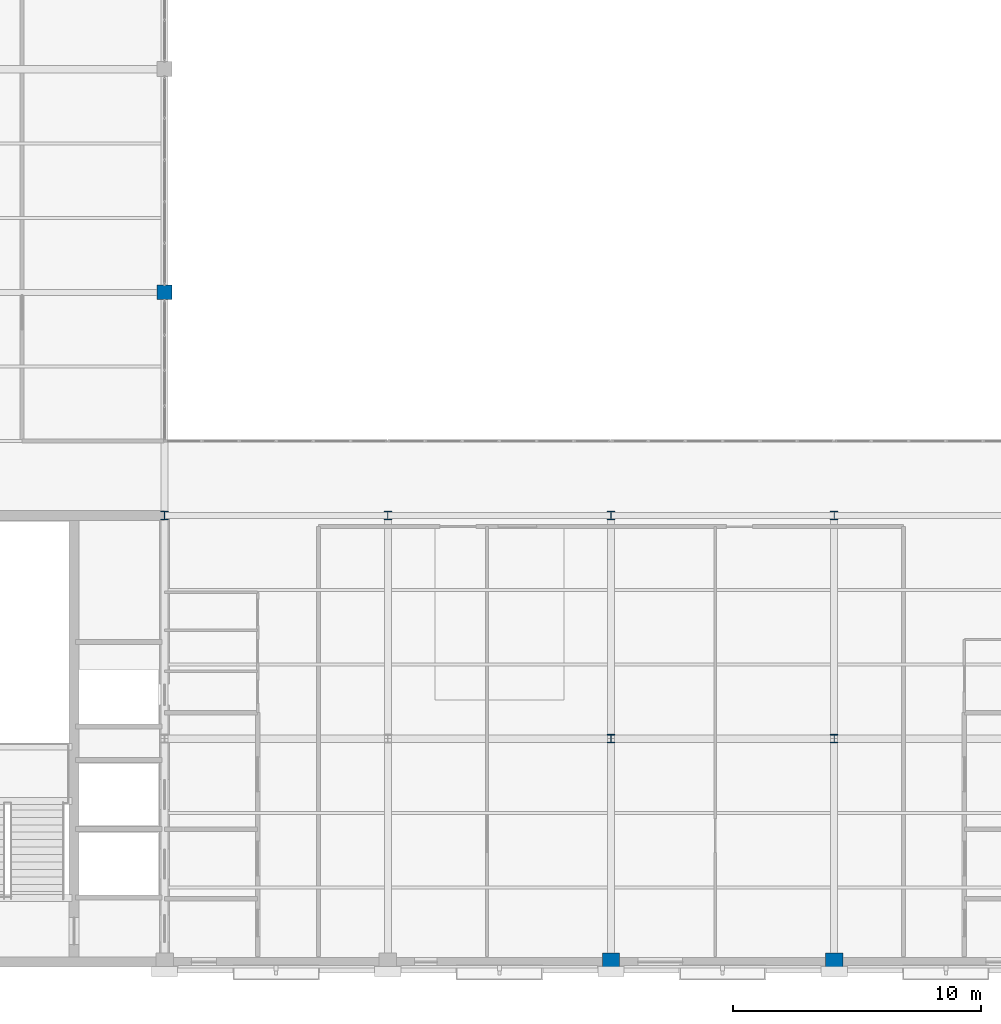
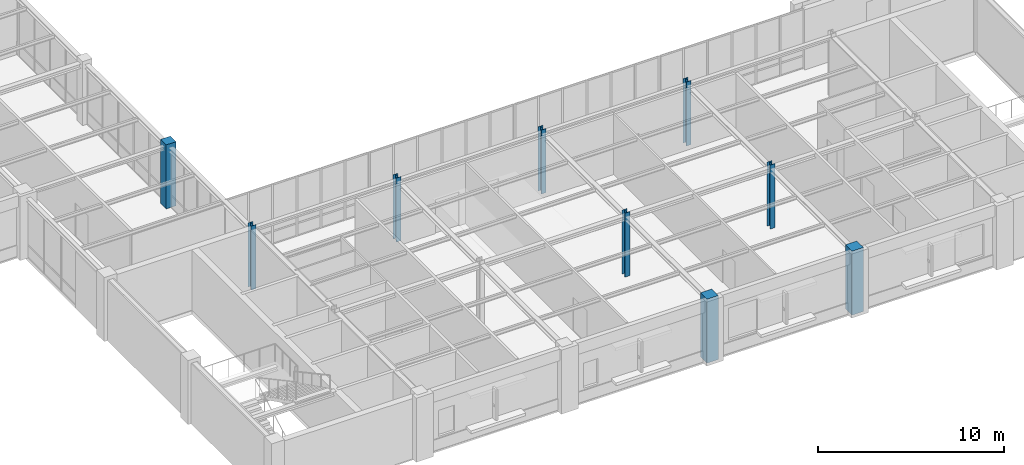
# One storey, part 2 of 97: 9 columns.
"""IFC4 building model written with IfcOpenShell, lengths in metres."""

from ifc_helpers import new_model, si_unit, direction, frame, origin, origin_2d, place, context, subcontext, project, spatial, rectangle, i_section, extrude, material, material_profile, profile_set, type_object, element, save


model = new_model("IFC4")

# Units and contexts
model_context = context("Model", 3, precision=1e-05, world=origin(), true_north=direction((0.0, 1.0)))
body_context = subcontext(model_context, "Body", "Model", "MODEL_VIEW")
ifc_project = project(units=[si_unit("LENGTHUNIT", "METRE"), si_unit("AREAUNIT", "SQUARE_METRE"), si_unit("VOLUMEUNIT", "CUBIC_METRE"), si_unit("PLANEANGLEUNIT", "RADIAN"), si_unit("MASSUNIT", "GRAM", prefix="KILO")], contexts=[model_context])

# Site, building, storey
site_placement = place(None, origin())
site = spatial("IfcSite", under=ifc_project, at=site_placement, CompositionType="ELEMENT")
building_placement = place(site_placement, origin())
building = spatial("IfcBuilding", under=site, at=building_placement, Name="Lykobir Media Centre", CompositionType="ELEMENT")
storey_placement = place(building_placement, frame((0.0, 0.0, 23.39990234375)))
storey = spatial("IfcBuildingStorey", under=building, at=storey_placement, Name="L05", CompositionType="ELEMENT", Elevation=23.39990234375)

# Columns
ifc_material_1 = material(Name="Concrete C40/50", Category="concrete")
ifc_material_profile_1 = material_profile(ifc_material_1, rectangle(XDim=0.60009765625, YDim=0.60009765625, at=origin_2d()), Name="RC 600x600")
ifc_profile_set_1 = profile_set([ifc_material_profile_1], Name="Concrete C40/50")
column_type_1 = type_object("IfcColumnType", Name="RC-C600", PredefinedType="COLUMN", material=ifc_profile_set_1)
column_placement = place(storey_placement, frame((36.0, 27.0, 0.0), z_axis=(0.0, 0.0, 1.0), x_axis=(1.0, 0.0, 0.0)))
element("IfcColumn", 1, at=column_placement, inside=storey, type_object=column_type_1, Name="Column COL-L05-0360-0270", PredefinedType="COLUMN", context=body_context, shape_type="SweptSolid", body=[
    extrude(rectangle(XDim=0.60009765625, YDim=0.60009765625, at=origin_2d()), origin(), (0.0, 0.0, 1.0), 4.2001953125),
])
ifc_material_profile_2 = material_profile(ifc_material_1, rectangle(XDim=0.699951171875, YDim=0.699951171875, at=origin_2d()), Name="RC 700x700")
ifc_profile_set_2 = profile_set([ifc_material_profile_2], Name="Concrete C40/50")
column_type_2 = type_object("IfcColumnType", Name="RC-C700-E", PredefinedType="COLUMN", material=ifc_profile_set_2)
for number, where, z_axis, x_axis, name in (
    (2, (54.0, 0.0, 0.0), (0.0, 0.0, 1.0), (1.0, 0.0, 0.0), "Column COL-L05-0540-0000"),
    (3, (63.0, 0.0, 0.0), (0.0, 0.0, 1.0), (1.0, 0.0, 0.0), "Column COL-L05-0630-0000"),
):
    element("IfcColumn", number, at=place(storey_placement, frame(where, z_axis=z_axis, x_axis=x_axis)), inside=storey, type_object=column_type_2, Name=name, PredefinedType="COLUMN", context=body_context, shape_type="SweptSolid", body=[
        extrude(rectangle(XDim=0.699951171875, YDim=0.699951171875, at=origin_2d()), origin(), (0.0, 0.0, 1.0), 4.2001953125),
    ])
ifc_material_2 = material(Name="Steel S355", Category="steel")
ifc_material_profile_3 = material_profile(ifc_material_2, i_section(OverallWidth=0.300048828125, OverallDepth=0.340087890625, WebThickness=0.011962890625, FlangeThickness=0.021484375, at=origin_2d()), Name="HEB 340")
ifc_profile_set_3 = profile_set([ifc_material_profile_3], Name="Steel S355")
column_type_3 = type_object("IfcColumnType", Name="SC-HEB340", PredefinedType="COLUMN", material=ifc_profile_set_3)
for number, where, z_axis, x_axis, name in (
    (4, (54.0, 9.0, 0.0), (0.0, 0.0, 1.0), (1.0, 0.0, 0.0), "Column COL-L05-0540-0090"),
    (5, (63.0, 9.0, 0.0), (0.0, 0.0, 1.0), (1.0, 0.0, 0.0), "Column COL-L05-0630-0090"),
):
    element("IfcColumn", number, at=place(storey_placement, frame(where, z_axis=z_axis, x_axis=x_axis)), inside=storey, type_object=column_type_3, Name=name, PredefinedType="COLUMN", context=body_context, shape_type="SweptSolid", body=[
        extrude(i_section(OverallWidth=0.300048828125, OverallDepth=0.340087890625, WebThickness=0.011962890625, FlangeThickness=0.021484375, at=origin_2d()), origin(), (0.0, 0.0, 1.0), 4.2001953125),
    ])
ifc_material_profile_4 = material_profile(ifc_material_2, i_section(OverallWidth=0.300048828125, OverallDepth=0.360107421875, WebThickness=0.012451171875, FlangeThickness=0.0224609375, at=origin_2d()), Name="HEB 360")
ifc_profile_set_4 = profile_set([ifc_material_profile_4], Name="Steel S355")
column_type_4 = type_object("IfcColumnType", Name="SC-HEB360", PredefinedType="COLUMN", material=ifc_profile_set_4)
for number, where, z_axis, x_axis, name in (
    (6, (36.0, 18.0, 0.0), (0.0, 0.0, 1.0), (1.0, 0.0, 0.0), "Column COL-L05-0360-0180"),
    (7, (45.0, 18.0, 0.0), (0.0, 0.0, 1.0), (1.0, 0.0, 0.0), "Column COL-L05-0450-0180"),
    (8, (54.0, 18.0, 0.0), (0.0, 0.0, 1.0), (1.0, 0.0, 0.0), "Column COL-L05-0540-0180"),
    (9, (63.0, 18.0, 0.0), (0.0, 0.0, 1.0), (1.0, 0.0, 0.0), "Column COL-L05-0630-0180"),
):
    element("IfcColumn", number, at=place(storey_placement, frame(where, z_axis=z_axis, x_axis=x_axis)), inside=storey, type_object=column_type_4, Name=name, PredefinedType="COLUMN", context=body_context, shape_type="SweptSolid", body=[
        extrude(i_section(OverallWidth=0.300048828125, OverallDepth=0.360107421875, WebThickness=0.012451171875, FlangeThickness=0.0224609375, at=origin_2d()), origin(), (0.0, 0.0, 1.0), 4.2001953125),
    ])

save(model, "model.ifc")
